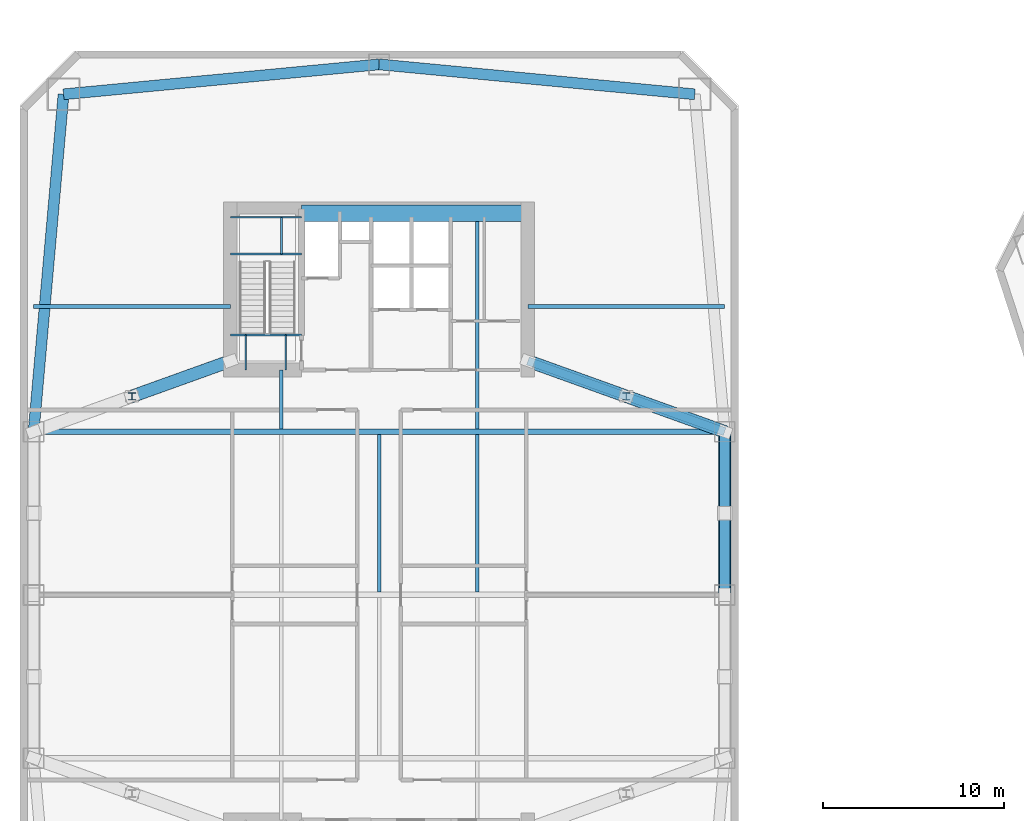
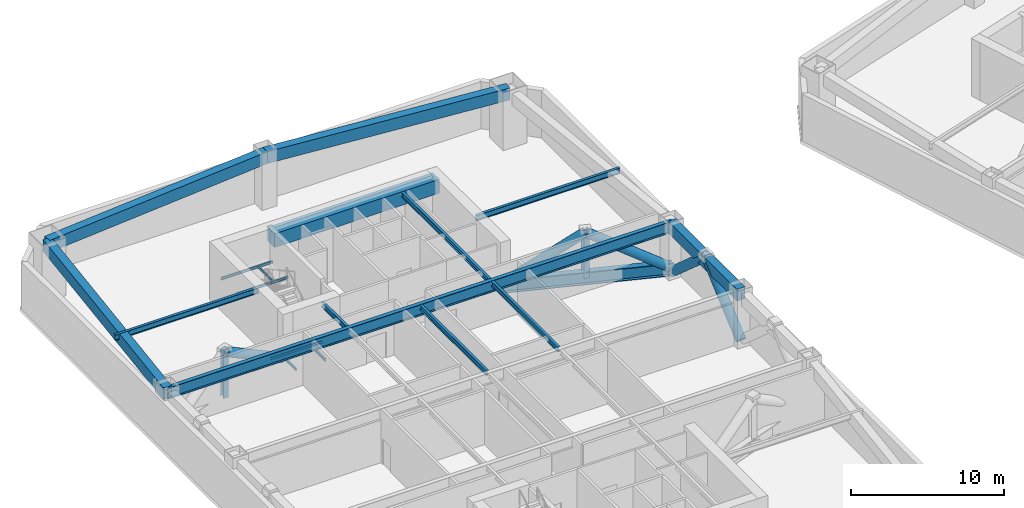
# One storey, part 4 of 16: 19 beams, 7 members.
"""IFC4 building model written with IfcOpenShell, lengths in metres."""

from ifc_helpers import new_model, si_unit, direction, frame, origin, origin_2d, place, context, subcontext, project, spatial, rectangle, hollow_circle, i_section, extrude, material, material_profile, profile_set, type_object, element, save


model = new_model("IFC4")

# Units and contexts
model_context = context("Model", 3, precision=1e-05, world=origin(), true_north=direction((0.0, 1.0)))
body_context = subcontext(model_context, "Body", "Model", "MODEL_VIEW")
ifc_project = project(units=[si_unit("LENGTHUNIT", "METRE"), si_unit("AREAUNIT", "SQUARE_METRE"), si_unit("VOLUMEUNIT", "CUBIC_METRE"), si_unit("PLANEANGLEUNIT", "RADIAN"), si_unit("MASSUNIT", "GRAM", prefix="KILO")], contexts=[model_context])

# Site, building, storey
site_placement = place(None, origin())
site = spatial("IfcSite", under=ifc_project, at=site_placement, CompositionType="ELEMENT")
building_placement = place(site_placement, origin())
building = spatial("IfcBuilding", under=site, at=building_placement, Name="Qiaolan Cultural Towers", CompositionType="ELEMENT")
storey_placement = place(building_placement, frame((0.0, 0.0, 46.0)))
storey = spatial("IfcBuildingStorey", under=building, at=storey_placement, Name="L10", CompositionType="ELEMENT", Elevation=46.0)

# Beams
ifc_material_1 = material(Name="Steel Q390GJB", Category="steel")
ifc_material_profile_1 = material_profile(ifc_material_1, i_section(OverallWidth=0.449951171875, OverallDepth=1.0, WebThickness=0.02392578125, FlangeThickness=0.0400390625, at=origin_2d()), Name="BH1000x450x24x40")
ifc_profile_set_1 = profile_set([ifc_material_profile_1], Name="Steel Q390GJB")
beam_type_1 = type_object("IfcBeamType", Name="BM-BH1000x450x24x40", PredefinedType="BEAM", material=ifc_profile_set_1)
beam_1_placement = place(storey_placement, frame((38.199951171875, 46.89990234375, 0.5), z_axis=(0.941056813551, -0.338248538312, 0.0), x_axis=(0.338248538312, 0.941056813551, 0.0)))
element("IfcBeam", 1, at=beam_1_placement, inside=storey, type_object=beam_type_1, Name="L10 T1 Outrigger Bottom Chord Girder EN", PredefinedType="BEAM", context=body_context, shape_type="SweptSolid", body=[
    extrude(i_section(OverallWidth=0.449951171875, OverallDepth=1.0, WebThickness=0.02392578125, FlangeThickness=0.0400390625, at=origin_2d()), origin(), (0.0, 0.0, 1.0), 11.52978515625),
])
ifc_material_2 = material(Name="Steel Q355B", Category="steel")
ifc_material_profile_2 = material_profile(ifc_material_2, i_section(OverallWidth=0.300048828125, OverallDepth=0.89990234375, WebThickness=0.01611328125, FlangeThickness=0.028076171875, at=origin_2d()), Name="HN900x300x16x28")
ifc_profile_set_2 = profile_set([ifc_material_profile_2], Name="Steel Q355B")
beam_type_2 = type_object("IfcBeamType", Name="BM-HN900x300x16x28", PredefinedType="BEAM", material=ifc_profile_set_2)
beam_2_placement = place(storey_placement, frame((10.949951171875, 43.0, 3.889892578125), z_axis=(1.0, 0.0, 0.0), x_axis=(0.0, 1.0, 0.0)))
element("IfcBeam", 2, at=beam_2_placement, inside=storey, type_object=beam_type_2, Name="L10 T1 Primary Transverse Girder V3", PredefinedType="BEAM", context=body_context, shape_type="SweptSolid", body=[
    extrude(i_section(OverallWidth=0.300048828125, OverallDepth=0.89990234375, WebThickness=0.01611328125, FlangeThickness=0.028076171875, at=origin_2d()), origin(), (0.0, 0.0, 1.0), 38.10009765625),
])
ifc_material_3 = material(Name="Steel Q355B", Category="steel")
ifc_material_profile_3 = material_profile(ifc_material_3, i_section(OverallWidth=0.199951171875, OverallDepth=0.39990234375, WebThickness=0.008056640625, FlangeThickness=0.012939453125, at=origin_2d()), Name="HN400x200x8x13")
ifc_profile_set_3 = profile_set([ifc_material_profile_3], Name="Steel Q355B")
beam_type_3 = type_object("IfcBeamType", Name="BM-JST-HN400x200x8x13", PredefinedType="JOIST", material=ifc_profile_set_3)
beam_3_placement = place(storey_placement, frame((24.60009765625, 43.14990234375, 4.139892578125), z_axis=(0.0, 1.0, 0.0), x_axis=(-1.0, 0.0, 0.0)))
element("IfcBeam", 3, at=beam_3_placement, inside=storey, type_object=beam_type_3, Name="L10 T1 Secondary Floor Joist U1-4", PredefinedType="JOIST", context=body_context, shape_type="SweptSolid", body=[
    extrude(i_section(OverallWidth=0.199951171875, OverallDepth=0.39990234375, WebThickness=0.008056640625, FlangeThickness=0.012939453125, at=origin_2d()), origin(), (0.0, 0.0, 1.0), 3.25),
])
for number, where, z_axis, x_axis, name in (
    (4, (30.0, 34.14990234375, 4.139892578125), (0.0, 1.0, 0.0), (-1.0, 0.0, 0.0), "L10 T1 Secondary Floor Joist U2-3"),
    (5, (35.39990234375, 34.14990234375, 4.139892578125), (0.0, 1.0, 0.0), (-1.0, 0.0, 0.0), "L10 T1 Secondary Floor Joist U3-3"),
):
    element("IfcBeam", number, at=place(storey_placement, frame(where, z_axis=z_axis, x_axis=x_axis)), inside=storey, type_object=beam_type_3, Name=name, PredefinedType="JOIST", context=body_context, shape_type="SweptSolid", body=[
        extrude(i_section(OverallWidth=0.199951171875, OverallDepth=0.39990234375, WebThickness=0.008056640625, FlangeThickness=0.012939453125, at=origin_2d()), origin(), (0.0, 0.0, 1.0), 8.7001953125),
    ])
beam_4_placement = place(storey_placement, frame((35.39990234375, 43.14990234375, 4.139892578125), z_axis=(0.0, 1.0, 0.0), x_axis=(-1.0, 0.0, 0.0)))
element("IfcBeam", 6, at=beam_4_placement, inside=storey, type_object=beam_type_3, Name="L10 T1 Secondary Floor Joist U3-4", PredefinedType="JOIST", context=body_context, shape_type="SweptSolid", body=[
    extrude(i_section(OverallWidth=0.199951171875, OverallDepth=0.39990234375, WebThickness=0.008056640625, FlangeThickness=0.012939453125, at=origin_2d()), origin(), (0.0, 0.0, 1.0), 11.4501953125),
])
ifc_material_4 = material(Name="Steel Q355B", Category="steel")
ifc_material_profile_4 = material_profile(ifc_material_4, i_section(OverallWidth=0.199951171875, OverallDepth=0.449951171875, WebThickness=0.009033203125, FlangeThickness=0.013916015625, at=origin_2d()), Name="HN450x200x9x14")
ifc_profile_set_4 = profile_set([ifc_material_profile_4], Name="Steel Q355B")
beam_type_4 = type_object("IfcBeamType", Name="BM-LNT-HN450x200x9x14", PredefinedType="LINTEL", material=ifc_profile_set_4)
for number, where, z_axis, x_axis, name in (
    (7, (21.800048828125, 49.89990234375, 4.114990234375), (-1.0, 0.0, 0.0), (0.0, -1.0, 0.0), "L10 T1 Core Flank Tie Lintel WN"),
    (8, (38.199951171875, 49.89990234375, 4.114990234375), (1.0, 0.0, 0.0), (0.0, 1.0, 0.0), "L10 T1 Core Flank Tie Lintel EN"),
):
    element("IfcBeam", number, at=place(storey_placement, frame(where, z_axis=z_axis, x_axis=x_axis)), inside=storey, type_object=beam_type_4, Name=name, PredefinedType="LINTEL", context=body_context, shape_type="SweptSolid", body=[
        extrude(i_section(OverallWidth=0.199951171875, OverallDepth=0.449951171875, WebThickness=0.009033203125, FlangeThickness=0.013916015625, at=origin_2d()), origin(), (0.0, 0.0, 1.0), 10.85009765625),
    ])
ifc_material_5 = material(Name="Concrete C50", Category="concrete")
ifc_material_profile_5 = material_profile(ifc_material_5, rectangle(XDim=0.89990234375, YDim=1.10009765625, at=origin_2d()), Name="RC900x1100")
ifc_profile_set_5 = profile_set([ifc_material_profile_5], Name="Concrete C50")
beam_type_5 = type_object("IfcBeamType", Name="BM-RC900x1100", PredefinedType="BEAM", material=ifc_profile_set_5)
beam_5_placement = place(storey_placement, frame((25.719970703125, 55.050048828125, 3.7900390625), z_axis=(1.0, 0.0, 0.0), x_axis=(0.0, 1.0, 0.0)))
element("IfcBeam", 9, at=beam_5_placement, inside=storey, type_object=beam_type_5, Name="L10 T1 Core Header Girder N", PredefinedType="BEAM", context=body_context, shape_type="SweptSolid", body=[
    extrude(rectangle(XDim=0.89990234375, YDim=1.10009765625, at=origin_2d()), origin(), (0.0, 0.0, 1.0), 12.47998046875),
])
ifc_material_6 = material(Name="Concrete C50", Category="concrete")
ifc_material_profile_6 = material_profile(ifc_material_6, rectangle(XDim=0.60009765625, YDim=0.949951171875, at=origin_2d()), Name="RC600x950")
ifc_profile_set_6 = profile_set([ifc_material_profile_6], Name="Concrete C50")
beam_type_6 = type_object("IfcBeamType", Name="BM-SPD-RC600x950", PredefinedType="SPANDREL", material=ifc_profile_set_6)
beam_6_placement = place(storey_placement, frame((49.050048828125, 34.0, 3.864990234375), z_axis=(0.0, 1.0, 0.0), x_axis=(-1.0, 0.0, 0.0)))
element("IfcBeam", 10, at=beam_6_placement, inside=storey, type_object=beam_type_6, Name="L10 T1 Perimeter Spandrel Beam 5", PredefinedType="SPANDREL", context=body_context, shape_type="SweptSolid", body=[
    extrude(rectangle(XDim=0.60009765625, YDim=0.949951171875, at=origin_2d()), origin(), (0.0, 0.0, 1.0), 9.0),
])
for number, where, z_axis, x_axis, name in (
    (11, (47.39990234375, 61.60009765625, 3.864990234375), (-0.995534437156, 0.094399070104, 0.0), (-0.094399070104, -0.995534437156, 0.0), "L10 T1 Perimeter Spandrel Beam 7"),
    (12, (30.0, 63.25, 3.864990234375), (-0.995534437156, -0.094399070104, 0.0), (0.094399070104, -0.995534437156, 0.0), "L10 T1 Perimeter Spandrel Beam 8"),
):
    element("IfcBeam", number, at=place(storey_placement, frame(where, z_axis=z_axis, x_axis=x_axis)), inside=storey, type_object=beam_type_6, Name=name, PredefinedType="SPANDREL", context=body_context, shape_type="SweptSolid", body=[
        extrude(rectangle(XDim=0.60009765625, YDim=0.949951171875, at=origin_2d()), origin(), (0.0, 0.0, 1.0), 17.47802734375),
    ])
beam_7_placement = place(storey_placement, frame((12.60009765625, 61.60009765625, 3.864990234375), z_axis=(-0.08837000091, -0.996087718496, 0.0), x_axis=(0.996087718496, -0.08837000091, 0.0)))
element("IfcBeam", 13, at=beam_7_placement, inside=storey, type_object=beam_type_6, Name="L10 T1 Perimeter Spandrel Beam 9", PredefinedType="SPANDREL", context=body_context, shape_type="SweptSolid", body=[
    extrude(rectangle(XDim=0.60009765625, YDim=0.949951171875, at=origin_2d()), origin(), (0.0, 0.0, 1.0), 18.673095703125),
])
ifc_material_7 = material(Name="Steel Q355B", Category="steel")
ifc_material_profile_7 = material_profile(ifc_material_7, i_section(OverallWidth=0.10009765625, OverallDepth=0.199951171875, WebThickness=0.005615234375, FlangeThickness=0.008056640625, at=origin_2d()), Name="HN200x100x5.5x8")
ifc_profile_set_7 = profile_set([ifc_material_profile_7], Name="Steel Q355B")
beam_type_7 = type_object("IfcBeamType", Name="BM-STTRIM-200", PredefinedType="BEAM", material=ifc_profile_set_7)
beam_8_placement = place(storey_placement, frame((21.800048828125, 48.340087890625, -0.4599609375), z_axis=(1.0, 0.0, 0.0), x_axis=(0.0, 1.0, 0.0)))
element("IfcBeam", 14, at=beam_8_placement, inside=storey, type_object=beam_type_7, Name="L10 ST-W2 Floor Landing Header Beam", PredefinedType="BEAM", context=body_context, shape_type="SweptSolid", body=[
    extrude(i_section(OverallWidth=0.10009765625, OverallDepth=0.199951171875, WebThickness=0.005615234375, FlangeThickness=0.008056640625, at=origin_2d()), origin(), (0.0, 0.0, 1.0), 3.919921875),
])
for number, where, z_axis, x_axis, name in (
    (15, (22.64990234375, 46.39990234375, -0.4599609375), (0.0, 1.0, 0.0), (-1.0, 0.0, 0.0), "L10 ST-W2 Floor Landing Stringer 1"),
    (16, (24.85009765625, 46.39990234375, -0.4599609375), (0.0, 1.0, 0.0), (-1.0, 0.0, 0.0), "L10 ST-W2 Floor Landing Stringer 2"),
):
    element("IfcBeam", number, at=place(storey_placement, frame(where, z_axis=z_axis, x_axis=x_axis)), inside=storey, type_object=beam_type_7, Name=name, PredefinedType="BEAM", context=body_context, shape_type="SweptSolid", body=[
        extrude(i_section(OverallWidth=0.10009765625, OverallDepth=0.199951171875, WebThickness=0.005615234375, FlangeThickness=0.008056640625, at=origin_2d()), origin(), (0.0, 0.0, 1.0), 1.940185546875),
    ])
for number, where, z_axis, x_axis, name in (
    (17, (21.800048828125, 52.788818359375, 2.0), (1.0, 0.0, 0.0), (0.0, 1.0, 0.0), "L10 ST-W2 Stair Landing Support Beam 1-1"),
    (18, (21.800048828125, 54.820068359375, 2.0), (1.0, 0.0, 0.0), (0.0, 1.0, 0.0), "L10 ST-W2 Stair Landing Support Beam 1-2"),
):
    element("IfcBeam", number, at=place(storey_placement, frame(where, z_axis=z_axis, x_axis=x_axis)), inside=storey, type_object=beam_type_7, Name=name, PredefinedType="BEAM", context=body_context, shape_type="SweptSolid", body=[
        extrude(i_section(OverallWidth=0.10009765625, OverallDepth=0.199951171875, WebThickness=0.005615234375, FlangeThickness=0.008056640625, at=origin_2d()), origin(), (0.0, 0.0, 1.0), 3.919921875),
    ])
beam_9_placement = place(storey_placement, frame((24.610107421875, 52.788818359375, 2.0), z_axis=(0.0, 1.0, 0.0), x_axis=(-1.0, 0.0, 0.0)))
element("IfcBeam", 19, at=beam_9_placement, inside=storey, type_object=beam_type_7, Name="L10 ST-W2 Stair Landing Trimmer 1", PredefinedType="BEAM", context=body_context, shape_type="SweptSolid", body=[
    extrude(i_section(OverallWidth=0.10009765625, OverallDepth=0.199951171875, WebThickness=0.005615234375, FlangeThickness=0.008056640625, at=origin_2d()), origin(), (0.0, 0.0, 1.0), 2.03125),
])

# Members
ifc_material_8 = material(Name="Steel Q355B", Category="steel")
ifc_material_profile_8 = material_profile(ifc_material_8, hollow_circle(Radius=0.35009765625, WallThickness=0.034912109375, at=origin_2d()), Name="CHS700x35")
ifc_profile_set_8 = profile_set([ifc_material_profile_8], Name="Steel Q355B")
member_type_1 = type_object("IfcMemberType", Name="MBR-BRC-CHS700x35", PredefinedType="BRACE", material=ifc_profile_set_8)
for number, where, z_axis, x_axis, name in (
    (20, (21.800048828125, 46.89990234375, 0.5), (-0.799441770104, -0.287347167896, 0.527564651312), (0.338248538312, -0.941056813551, 0.0), "L10 T1 Outrigger Truss Diagonal WN-1"),
    (21, (38.199951171875, 46.89990234375, 0.5), (0.799441770104, -0.287347167896, 0.527564651312), (0.338248538312, 0.941056813551, 0.0), "L10 T1 Outrigger Truss Diagonal EN-1"),
    (22, (43.625, 44.949951171875, 4.080078125), (0.799441770104, -0.287347167896, -0.527564651312), (0.338248538312, 0.941056813551, 0.0), "L10 T1 Outrigger Truss Diagonal EN-2"),
):
    element("IfcMember", number, at=place(storey_placement, frame(where, z_axis=z_axis, x_axis=x_axis)), inside=storey, type_object=member_type_1, Name=name, PredefinedType="BRACE", context=body_context, shape_type="SweptSolid", body=[
        extrude(hollow_circle(Radius=0.35009765625, WallThickness=0.034912109375, at=origin_2d()), origin(), (0.0, 0.0, 1.0), 6.7861328125),
    ])
for number, where, z_axis, x_axis, name in (
    (23, (49.050048828125, 34.0, 0.199951171875), (0.0, 0.749061716489, 0.662500222559), (-1.0, 0.0, 0.0), "L10 T1 Perimeter Belt Truss E2-A"),
    (24, (49.050048828125, 38.5, 4.179931640625), (0.0, 0.749061716489, -0.662500222559), (-1.0, 0.0, 0.0), "L10 T1 Perimeter Belt Truss E2-B"),
):
    element("IfcMember", number, at=place(storey_placement, frame(where, z_axis=z_axis, x_axis=x_axis)), inside=storey, type_object=member_type_1, Name=name, PredefinedType="BRACE", context=body_context, shape_type="SweptSolid", body=[
        extrude(hollow_circle(Radius=0.35009765625, WallThickness=0.034912109375, at=origin_2d()), origin(), (0.0, 0.0, 1.0), 6.007568359375),
    ])
ifc_material_9 = material(Name="Steel Q355B", Category="steel")
ifc_material_profile_9 = material_profile(ifc_material_9, i_section(OverallWidth=0.39990234375, OverallDepth=0.39990234375, WebThickness=0.012939453125, FlangeThickness=0.02099609375, at=origin_2d()), Name="HW400x400x13x21")
ifc_profile_set_9 = profile_set([ifc_material_profile_9], Name="Steel Q355B")
member_type_2 = type_object("IfcMemberType", Name="MBR-POST-HW400x400x13x21", PredefinedType="STUD", material=ifc_profile_set_9)
for number, where, z_axis, x_axis, name in (
    (25, (16.375, 44.949951171875, 0.5), (0.0, 0.0, 1.0), (1.0, 0.0, 0.0), "L10 T1 Outrigger King Web WN"),
    (26, (43.625, 44.949951171875, 0.5), (0.0, 0.0, 1.0), (1.0, 0.0, 0.0), "L10 T1 Outrigger King Web EN"),
):
    element("IfcMember", number, at=place(storey_placement, frame(where, z_axis=z_axis, x_axis=x_axis)), inside=storey, type_object=member_type_2, Name=name, PredefinedType="STUD", context=body_context, shape_type="SweptSolid", body=[
        extrude(i_section(OverallWidth=0.39990234375, OverallDepth=0.39990234375, WebThickness=0.012939453125, FlangeThickness=0.02099609375, at=origin_2d()), origin(), (0.0, 0.0, 1.0), 3.580078125),
    ])

save(model, "model.ifc")
